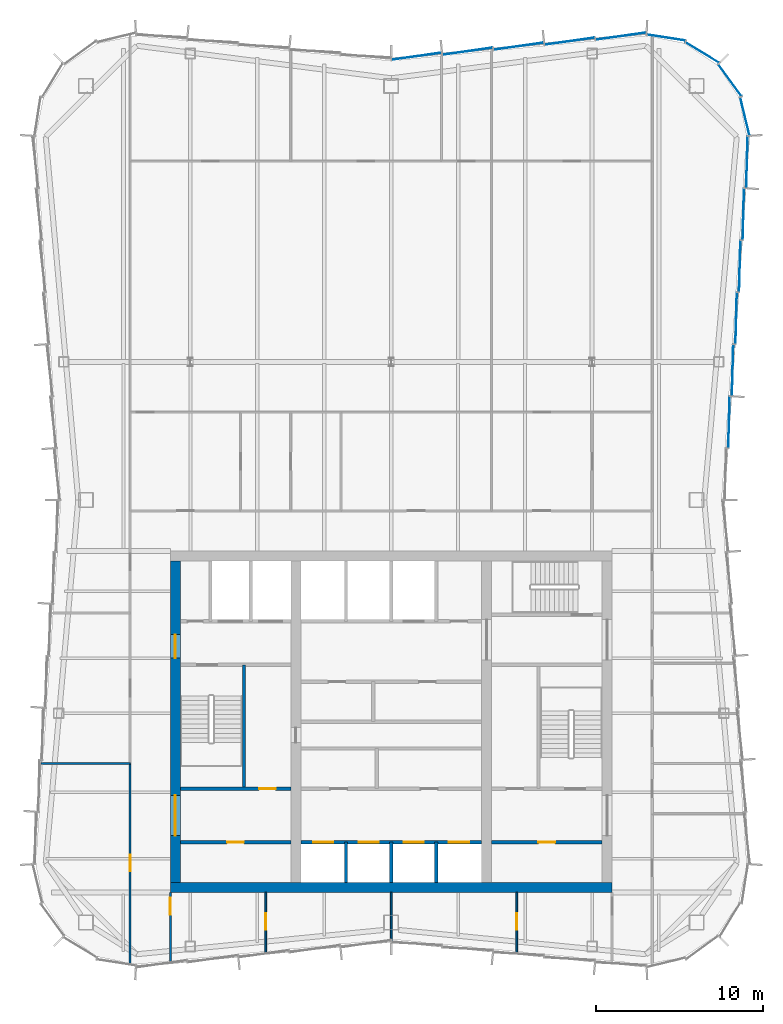
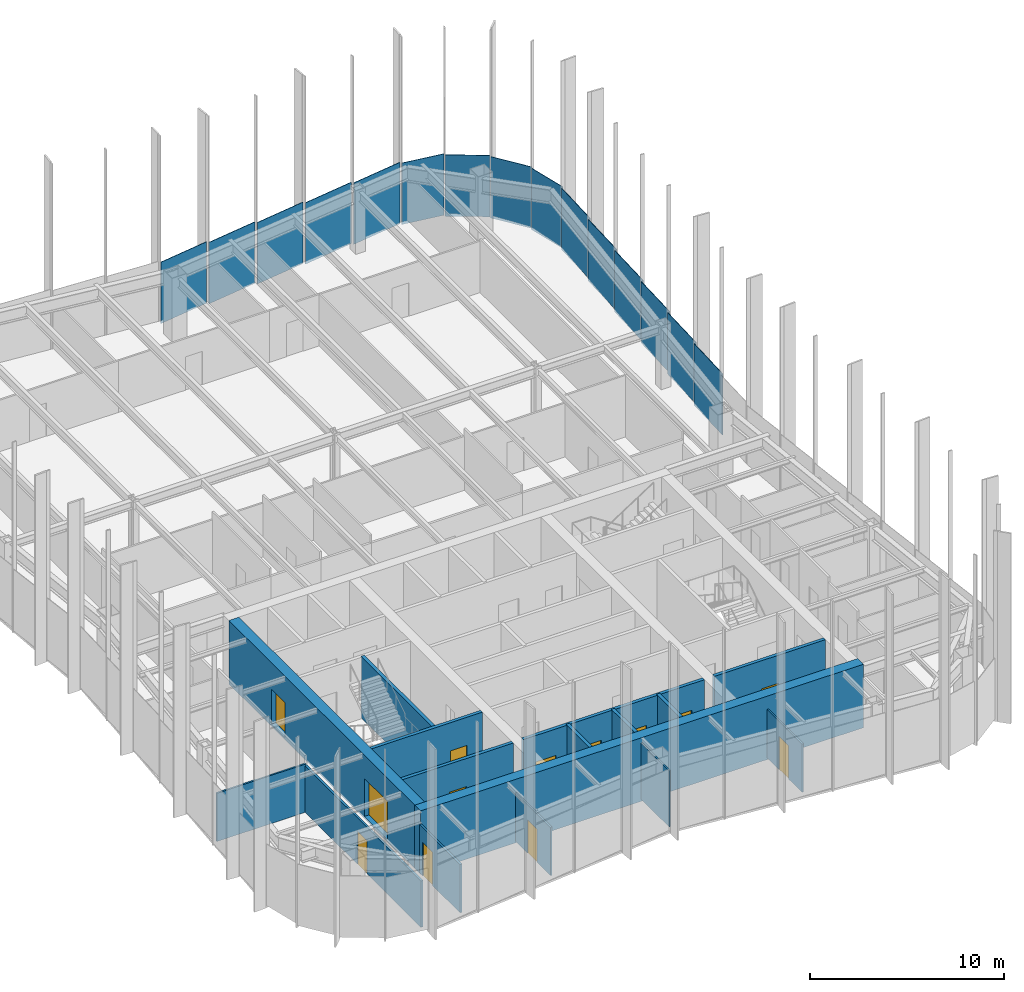
# One storey, part 9 of 13: 16 walls, 15 plates, 13 doors, 13 openings, 3 elements without a shape of their own.
"""IFC4 building model written with IfcOpenShell, lengths in metres."""

from ifc_helpers import new_model, si_unit, direction, frame, frame_2d, origin, origin_2d, place, context, subcontext, project, spatial, rectangle, extrude, material, layer, layer_set, type_object, element, fill, aggregate, save


model = new_model("IFC4")

# Units and contexts
model_context = context("Model", 3, precision=1e-05, world=origin(), true_north=direction((0.0, 1.0)))
body_context = subcontext(model_context, "Body", "Model", "MODEL_VIEW")
ifc_project = project(units=[si_unit("LENGTHUNIT", "METRE"), si_unit("AREAUNIT", "SQUARE_METRE"), si_unit("VOLUMEUNIT", "CUBIC_METRE"), si_unit("PLANEANGLEUNIT", "RADIAN"), si_unit("MASSUNIT", "GRAM", prefix="KILO")], contexts=[model_context])

# Site, building, storey
site_placement = place(None, origin())
site = spatial("IfcSite", under=ifc_project, at=site_placement, CompositionType="ELEMENT")
building_placement = place(site_placement, origin())
building = spatial("IfcBuilding", under=site, at=building_placement, Name="Verdant Reach Tower", CompositionType="ELEMENT")
storey_placement = place(building_placement, frame((0.0, 0.0, 306.0)))
storey = spatial("IfcBuildingStorey", under=building, at=storey_placement, Name="L70", CompositionType="ELEMENT", Elevation=306.0)

# Curtain wall, plates
ifc_material_1 = material(Name="Anodised aluminium", Category="aluminium")
curtain_wall_type = type_object("IfcCurtainWallType", Name="EN-CW SYSTEM Z5", PredefinedType="NOTDEFINED", material=ifc_material_1)
curtain_wall_1_placement = place(storey_placement, origin())
curtain_wall_1 = element("IfcCurtainWall", 1, at=curtain_wall_1_placement, inside=storey, type_object=curtain_wall_type, Name="Curtain wall east, L70", PredefinedType="NOTDEFINED")
ifc_material_2 = material(Name="Tinted glass with champagne spandrel", Category="glass")
ifc_layer_1 = layer(ifc_material_2, 0.031982421875)
ifc_layer_set_1 = layer_set([ifc_layer_1], Name="EN-PANEL CHAMPAGNE")
plate_type_1 = type_object("IfcPlateType", Name="EN-PANEL CHAMPAGNE", PredefinedType="CURTAIN_PANEL", material=ifc_layer_set_1)
plate_1_placement = place(storey_placement, frame((20.18603515625, 45.90283203125, -0.219970703125), z_axis=(0.0, 0.0, 1.0), x_axis=(0.026965318308, 0.999636369691, 0.0)))
plate_1 = element("IfcPlate", 2, at=plate_1_placement, type_object=plate_type_1, Name="Glass panel east face part 2 2.1, L70", PredefinedType="CURTAIN_PANEL", context=body_context, shape_type="SweptSolid", body=[
    extrude(rectangle(XDim=3.048583984375, YDim=0.031982421875, at=origin_2d()), origin(), (0.0, 0.0, 1.0), 3.8701171875),
])
plate_2_placement = place(storey_placement, frame((20.400390625, 49.010009765625, -0.219970703125), z_axis=(0.0, 0.0, 1.0), x_axis=(0.026965318308, 0.999636369691, 0.0)))
plate_2 = element("IfcPlate", 3, at=plate_2_placement, type_object=plate_type_1, Name="Glass panel east face part 2 3.1, L70", PredefinedType="CURTAIN_PANEL", context=body_context, shape_type="SweptSolid", body=[
    extrude(rectangle(XDim=3.048583984375, YDim=0.031982421875, at=origin_2d()), origin(), (0.0, 0.0, 1.0), 3.8701171875),
])

# Curtain wall, plate
curtain_wall_2_placement = place(storey_placement, origin())
curtain_wall_2 = element("IfcCurtainWall", 4, at=curtain_wall_2_placement, inside=storey, type_object=curtain_wall_type, Name="Curtain wall north-east corner, L70", PredefinedType="NOTDEFINED")
plate_3_placement = place(storey_placement, frame((21.132080078125, 64.173828125, -0.219970703125), z_axis=(0.0, 0.0, 1.0), x_axis=(-0.236471447122, 0.971638438256, 0.0)))
plate_3 = element("IfcPlate", 5, at=plate_3_placement, type_object=plate_type_1, Name="Glass panel north-east corner 1.1, L70", PredefinedType="CURTAIN_PANEL", context=body_context, shape_type="SweptSolid", body=[
    extrude(rectangle(XDim=2.312744140625, YDim=0.031982421875, at=origin_2d()), origin(), (0.0, 0.0, 1.0), 3.8701171875),
])

curtain_wall_3_placement = place(storey_placement, origin())
curtain_wall_3 = element("IfcCurtainWall", 6, at=curtain_wall_3_placement, inside=storey, type_object=curtain_wall_type, Name="Curtain wall north, L70", PredefinedType="NOTDEFINED")
plate_4_placement = place(storey_placement, frame((1.519287109375, 67.7646484375, -0.219970703125), z_axis=(0.0, 0.0, 1.0), x_axis=(-0.990200074141, -0.139656053116, 0.0)))
plate_4 = element("IfcPlate", 7, at=plate_4_placement, type_object=plate_type_1, Name="Glass panel north face part 1 5.1, L70", PredefinedType="CURTAIN_PANEL", context=body_context, shape_type="SweptSolid", body=[
    extrude(rectangle(XDim=2.987548828125, YDim=0.031982421875, at=origin_2d()), origin(), (0.0, 0.0, 1.0), 3.8701171875),
])

# Plate
ifc_material_3 = material(Name="Tinted glass with copper spandrel", Category="glass")
ifc_layer_2 = layer(ifc_material_3, 0.031982421875)
ifc_layer_set_2 = layer_set([ifc_layer_2], Name="EN-PANEL COPPER")
plate_type_2 = type_object("IfcPlateType", Name="EN-PANEL COPPER", PredefinedType="CURTAIN_PANEL", material=ifc_layer_set_2)
plate_5_placement = place(storey_placement, frame((20.61474609375, 52.1171875, -0.219970703125), z_axis=(0.0, 0.0, 1.0), x_axis=(0.026965318308, 0.999636369691, 0.0)))
plate_5 = element("IfcPlate", 8, at=plate_5_placement, type_object=plate_type_2, Name="Glass panel east face part 2 4.1, L70", PredefinedType="CURTAIN_PANEL", context=body_context, shape_type="SweptSolid", body=[
    extrude(rectangle(XDim=3.048583984375, YDim=0.031982421875, at=origin_2d()), origin(), (0.0, 0.0, 1.0), 3.8701171875),
])

plate_6_placement = place(storey_placement, frame((20.8291015625, 55.22412109375, -0.219970703125), z_axis=(0.0, 0.0, 1.0), x_axis=(0.026965318308, 0.999636369691, 0.0)))
plate_6 = element("IfcPlate", 9, at=plate_6_placement, type_object=plate_type_2, Name="Glass panel east face part 2 5.1, L70", PredefinedType="CURTAIN_PANEL", context=body_context, shape_type="SweptSolid", body=[
    extrude(rectangle(XDim=3.048583984375, YDim=0.031982421875, at=origin_2d()), origin(), (0.0, 0.0, 1.0), 3.8701171875),
])

plate_7_placement = place(storey_placement, frame((20.23681640625, 66.33203125, -0.219970703125), z_axis=(0.0, 0.0, 1.0), x_axis=(-0.58992672698, 0.807456783236, 0.0)))
plate_7 = element("IfcPlate", 10, at=plate_7_placement, type_object=plate_type_2, Name="Glass panel north-east corner 2.1, L70", PredefinedType="CURTAIN_PANEL", context=body_context, shape_type="SweptSolid", body=[
    extrude(rectangle(XDim=2.320068359375, YDim=0.031982421875, at=origin_2d()), origin(), (0.0, 0.0, 1.0), 3.8701171875),
])

plate_8_placement = place(storey_placement, frame((18.58203125, 67.98681640625, -0.219970703125), z_axis=(0.0, 0.0, 1.0), x_axis=(-0.853988714885, 0.520291528711, 0.0)))
plate_8 = element("IfcPlate", 11, at=plate_8_placement, type_object=plate_type_2, Name="Glass panel north-east corner 3.1, L70", PredefinedType="CURTAIN_PANEL", context=body_context, shape_type="SweptSolid", body=[
    extrude(rectangle(XDim=2.320068359375, YDim=0.031982421875, at=origin_2d()), origin(), (0.0, 0.0, 1.0), 3.8701171875),
])

plate_9_placement = place(storey_placement, frame((16.4228515625, 68.88232421875, -0.219970703125), z_axis=(0.0, 0.0, 1.0), x_axis=(-0.988033409454, 0.154240013621, 0.0)))
plate_9 = element("IfcPlate", 12, at=plate_9_placement, type_object=plate_type_2, Name="Glass panel north-east corner 4.1, L70", PredefinedType="CURTAIN_PANEL", context=body_context, shape_type="SweptSolid", body=[
    extrude(rectangle(XDim=2.314453125, YDim=0.031982421875, at=origin_2d()), origin(), (0.0, 0.0, 1.0), 3.8701171875),
])

aggregate(curtain_wall_2, [plate_3, plate_7, plate_8, plate_9])

plate_10_placement = place(storey_placement, frame((13.72216796875, 68.964599609375, -0.219970703125), z_axis=(0.0, 0.0, 1.0), x_axis=(-0.990281521639, -0.139077345032, 0.0)))
plate_10 = element("IfcPlate", 13, at=plate_10_placement, type_object=plate_type_2, Name="Glass panel north face part 1 1.1, L70", PredefinedType="CURTAIN_PANEL", context=body_context, shape_type="SweptSolid", body=[
    extrude(rectangle(XDim=3.015625, YDim=0.031982421875, at=origin_2d()), origin(), (0.0, 0.0, 1.0), 3.8701171875),
])

plate_11_placement = place(storey_placement, frame((10.663818359375, 68.66455078125, -0.219970703125), z_axis=(0.0, 0.0, 1.0), x_axis=(-0.990225318365, -0.139476947446, 0.0)))
plate_11 = element("IfcPlate", 14, at=plate_11_placement, type_object=plate_type_2, Name="Glass panel north face part 1 2.1, L70", PredefinedType="CURTAIN_PANEL", context=body_context, shape_type="SweptSolid", body=[
    extrude(rectangle(XDim=2.998779296875, YDim=0.031982421875, at=origin_2d()), origin(), (0.0, 0.0, 1.0), 3.8701171875),
])

ifc_material_4 = material(Name="Tinted glass with dark bronze spandrel", Category="glass")
ifc_layer_3 = layer(ifc_material_4, 0.031982421875)
ifc_layer_set_3 = layer_set([ifc_layer_3], Name="EN-PANEL DARK")
plate_type_3 = type_object("IfcPlateType", Name="EN-PANEL DARK", PredefinedType="CURTAIN_PANEL", material=ifc_layer_set_3)
plate_12_placement = place(storey_placement, frame((21.043212890625, 58.331298828125, -0.219970703125), z_axis=(0.0, 0.0, 1.0), x_axis=(0.026965318308, 0.999636369691, 0.0)))
plate_12 = element("IfcPlate", 15, at=plate_12_placement, type_object=plate_type_3, Name="Glass panel east face part 2 6.1, L70", PredefinedType="CURTAIN_PANEL", context=body_context, shape_type="SweptSolid", body=[
    extrude(rectangle(XDim=3.048583984375, YDim=0.031982421875, at=origin_2d()), origin(), (0.0, 0.0, 1.0), 3.8701171875),
])

plate_13_placement = place(storey_placement, frame((21.257568359375, 61.446044921875, -0.219970703125), z_axis=(0.0, 0.0, 1.0), x_axis=(0.026642881595, 0.999645015423, 0.0)))
plate_13 = element("IfcPlate", 16, at=plate_13_placement, type_object=plate_type_3, Name="Glass panel east face part 2 7.1, L70", PredefinedType="CURTAIN_PANEL", context=body_context, shape_type="SweptSolid", body=[
    extrude(rectangle(XDim=3.063720703125, YDim=0.031982421875, at=origin_2d()), origin(), (0.0, 0.0, 1.0), 3.8701171875),
])

aggregate(curtain_wall_1, [plate_1, plate_2, plate_5, plate_6, plate_12, plate_13])

plate_14_placement = place(storey_placement, frame((7.61376953125, 68.364501953125, -0.219970703125), z_axis=(0.0, 0.0, 1.0), x_axis=(-0.990225318365, -0.139476947446, 0.0)))
plate_14 = element("IfcPlate", 17, at=plate_14_placement, type_object=plate_type_3, Name="Glass panel north face part 1 3.1, L70", PredefinedType="CURTAIN_PANEL", context=body_context, shape_type="SweptSolid", body=[
    extrude(rectangle(XDim=2.998779296875, YDim=0.031982421875, at=origin_2d()), origin(), (0.0, 0.0, 1.0), 3.8701171875),
])

plate_15_placement = place(storey_placement, frame((4.563720703125, 68.064453125, -0.219970703125), z_axis=(0.0, 0.0, 1.0), x_axis=(-0.990225318365, -0.139476947446, 0.0)))
plate_15 = element("IfcPlate", 18, at=plate_15_placement, type_object=plate_type_3, Name="Glass panel north face part 1 4.1, L70", PredefinedType="CURTAIN_PANEL", context=body_context, shape_type="SweptSolid", body=[
    extrude(rectangle(XDim=2.998779296875, YDim=0.031982421875, at=origin_2d()), origin(), (0.0, 0.0, 1.0), 3.8701171875),
])

aggregate(curtain_wall_3, [plate_10, plate_11, plate_14, plate_15, plate_4])

# Wall, opening, door
ifc_material_5 = material(Name="Gypsum board on steel studs", Category="steel")
ifc_layer_4 = layer(ifc_material_5, 0.199951171875)
ifc_layer_set_4 = layer_set([ifc_layer_4], Name="CO-WALL-ROOM")
wall_type_1 = type_object("IfcWallType", Name="CO-WALL-ROOM", PredefinedType="PARTITIONING", material=ifc_layer_set_4)
wall_1_placement = place(storey_placement, frame((-12.60009765625, 20.800048828125, 0.0), z_axis=(0.0, 0.0, 1.0), x_axis=(1.0, 0.0, 0.0)))
wall_1 = element("IfcWall", 19, at=wall_1_placement, inside=storey, type_object=wall_type_1, Name="Core partition, L70", PredefinedType="PARTITIONING", context=body_context, shape_type="SweptSolid", body=[
    extrude(rectangle(XDim=6.60009765625, YDim=0.199951171875, at=frame_2d((3.300048828125, 0.0))), origin(), (0.0, 0.0, 1.0), 3.8701171875),
])
opening_1_placement = place(wall_1_placement, frame((2.800048828125, 0.0, 0.0)))
opening_1 = element("IfcOpeningElement", 20, at=opening_1_placement, cuts=wall_1, Name="Opening CD", PredefinedType="OPENING", context=body_context, shape_type="SweptSolid", body=[
    extrude(rectangle(XDim=1.0, YDim=2.10009765625, at=frame_2d((0.5, 1.050048828125))), frame((0.0, 0.10986328125, 0.0), z_axis=(0.0, -1.0, 0.0), x_axis=(1.0, 0.0, 0.0)), (0.0, 0.0, 1.0), 0.219970703125),
])
ifc_material_6 = material(Name="Timber", Category="wood")
door_type_1 = type_object("IfcDoorType", Name="CO-DOOR-ROOM", OperationType="NOTDEFINED", PredefinedType="DOOR", material=ifc_material_6)
door_1_placement = place(opening_1_placement, origin())
door_1 = element("IfcDoor", 21, at=door_1_placement, inside=storey, type_object=door_type_1, Name="Core room door, L70", OperationType="SINGLE_SWING_LEFT", OverallHeight=2.10009765625, OverallWidth=1.0, PredefinedType="DOOR", context=body_context, shape_type="SweptSolid", body=[
    extrude(rectangle(XDim=1.0, YDim=2.10009765625, at=frame_2d((0.5, 1.050048828125))), frame((0.0, 0.02490234375, 0.0), z_axis=(0.0, -1.0, 0.0), x_axis=(1.0, 0.0, 0.0)), (0.0, 0.0, 1.0), 0.050048828125),
])
fill(opening_1, door_1)

wall_2_placement = place(storey_placement, frame((6.0, 20.800048828125, 0.0), z_axis=(0.0, 0.0, 1.0), x_axis=(1.0, 0.0, 0.0)))
wall_2 = element("IfcWall", 22, at=wall_2_placement, inside=storey, type_object=wall_type_1, Name="Core partition, L70", PredefinedType="PARTITIONING", context=body_context, shape_type="SweptSolid", body=[
    extrude(rectangle(XDim=6.60009765625, YDim=0.199951171875, at=frame_2d((3.300048828125, 0.0))), origin(), (0.0, 0.0, 1.0), 3.8701171875),
])
opening_2_placement = place(wall_2_placement, frame((2.800048828125, 0.0, 0.0)))
opening_2 = element("IfcOpeningElement", 23, at=opening_2_placement, cuts=wall_2, Name="Opening CD", PredefinedType="OPENING", context=body_context, shape_type="SweptSolid", body=[
    extrude(rectangle(XDim=1.0, YDim=2.10009765625, at=frame_2d((0.5, 1.050048828125))), frame((0.0, 0.10986328125, 0.0), z_axis=(0.0, -1.0, 0.0), x_axis=(1.0, 0.0, 0.0)), (0.0, 0.0, 1.0), 0.219970703125),
])
door_2_placement = place(opening_2_placement, origin())
door_2 = element("IfcDoor", 24, at=door_2_placement, inside=storey, type_object=door_type_1, Name="Core room door, L70", OperationType="SINGLE_SWING_RIGHT", OverallHeight=2.10009765625, OverallWidth=1.0, PredefinedType="DOOR", context=body_context, shape_type="SweptSolid", body=[
    extrude(rectangle(XDim=1.0, YDim=2.10009765625, at=frame_2d((0.5, 1.050048828125))), frame((0.0, 0.02490234375, 0.0), z_axis=(0.0, -1.0, 0.0), x_axis=(1.0, 0.0, 0.0)), (0.0, 0.0, 1.0), 0.050048828125),
])
fill(opening_2, door_2)

# Wall, openings, doors
ifc_material_7 = material(Name="Concrete C40/50", Category="concrete")
ifc_layer_5 = layer(ifc_material_7, 0.199951171875)
ifc_layer_set_5 = layer_set([ifc_layer_5], Name="CO-WALL-SHAFT")
wall_type_2 = type_object("IfcWallType", Name="CO-WALL-SHAFT", PredefinedType="PARTITIONING", material=ifc_layer_set_5)
wall_3_placement = place(storey_placement, frame((-5.39990234375, 20.800048828125, 0.0), z_axis=(0.0, 0.0, 1.0), x_axis=(1.0, 0.0, 0.0)))
wall_3 = element("IfcWall", 25, at=wall_3_placement, inside=storey, type_object=wall_type_2, Name="Lift shaft wall, L70", PredefinedType="PARTITIONING", context=body_context, shape_type="SweptSolid", body=[
    extrude(rectangle(XDim=10.7998046875, YDim=0.199951171875, at=frame_2d((5.39990234375, 0.0))), origin(), (0.0, 0.0, 1.0), 3.8701171875),
])
opening_3_placement = place(wall_3_placement, frame((0.75, 0.0, 0.0)))
opening_3 = element("IfcOpeningElement", 26, at=opening_3_placement, cuts=wall_3, Name="Opening LD-B1", PredefinedType="OPENING", context=body_context, shape_type="SweptSolid", body=[
    extrude(rectangle(XDim=1.199951171875, YDim=2.199951171875, at=frame_2d((0.60009765625, 1.10009765625))), frame((0.0, 0.10986328125, 0.0), z_axis=(0.0, -1.0, 0.0), x_axis=(1.0, 0.0, 0.0)), (0.0, 0.0, 1.0), 0.219970703125),
])
opening_4_placement = place(wall_3_placement, frame((3.449951171875, 0.0, 0.0)))
opening_4 = element("IfcOpeningElement", 27, at=opening_4_placement, cuts=wall_3, Name="Opening LD-B2", PredefinedType="OPENING", context=body_context, shape_type="SweptSolid", body=[
    extrude(rectangle(XDim=1.199951171875, YDim=2.199951171875, at=frame_2d((0.60009765625, 1.10009765625))), frame((0.0, 0.10986328125, 0.0), z_axis=(0.0, -1.0, 0.0), x_axis=(1.0, 0.0, 0.0)), (0.0, 0.0, 1.0), 0.219970703125),
])
opening_5_placement = place(wall_3_placement, frame((6.14990234375, 0.0, 0.0)))
opening_5 = element("IfcOpeningElement", 28, at=opening_5_placement, cuts=wall_3, Name="Opening LD-B3", PredefinedType="OPENING", context=body_context, shape_type="SweptSolid", body=[
    extrude(rectangle(XDim=1.199951171875, YDim=2.199951171875, at=frame_2d((0.60009765625, 1.10009765625))), frame((0.0, 0.10986328125, 0.0), z_axis=(0.0, -1.0, 0.0), x_axis=(1.0, 0.0, 0.0)), (0.0, 0.0, 1.0), 0.219970703125),
])
opening_6_placement = place(wall_3_placement, frame((8.85009765625, 0.0, 0.0)))
opening_6 = element("IfcOpeningElement", 29, at=opening_6_placement, cuts=wall_3, Name="Opening LD-B4", PredefinedType="OPENING", context=body_context, shape_type="SweptSolid", body=[
    extrude(rectangle(XDim=1.199951171875, YDim=2.199951171875, at=frame_2d((0.60009765625, 1.10009765625))), frame((0.0, 0.10986328125, 0.0), z_axis=(0.0, -1.0, 0.0), x_axis=(1.0, 0.0, 0.0)), (0.0, 0.0, 1.0), 0.219970703125),
])
ifc_material_8 = material(Name="Stainless steel", Category="steel")
door_type_2 = type_object("IfcDoorType", Name="CO-DOOR-LANDING", OperationType="SLIDING_TO_LEFT", PredefinedType="DOOR", material=ifc_material_8)
door_3_placement = place(opening_3_placement, origin())
door_3 = element("IfcDoor", 30, at=door_3_placement, inside=storey, type_object=door_type_2, Name="Landing door B1, L70", OperationType="SLIDING_TO_LEFT", OverallHeight=2.199951171875, OverallWidth=1.199951171875, PredefinedType="DOOR", context=body_context, shape_type="SweptSolid", body=[
    extrude(rectangle(XDim=1.199951171875, YDim=2.199951171875, at=frame_2d((0.60009765625, 1.10009765625))), frame((0.0, 0.02490234375, 0.0), z_axis=(0.0, -1.0, 0.0), x_axis=(1.0, 0.0, 0.0)), (0.0, 0.0, 1.0), 0.050048828125),
])
fill(opening_3, door_3)
door_4_placement = place(opening_4_placement, origin())
door_4 = element("IfcDoor", 31, at=door_4_placement, inside=storey, type_object=door_type_2, Name="Landing door B2, L70", OperationType="SLIDING_TO_LEFT", OverallHeight=2.199951171875, OverallWidth=1.199951171875, PredefinedType="DOOR", context=body_context, shape_type="SweptSolid", body=[
    extrude(rectangle(XDim=1.199951171875, YDim=2.199951171875, at=frame_2d((0.60009765625, 1.10009765625))), frame((0.0, 0.02490234375, 0.0), z_axis=(0.0, -1.0, 0.0), x_axis=(1.0, 0.0, 0.0)), (0.0, 0.0, 1.0), 0.050048828125),
])
fill(opening_4, door_4)
door_5_placement = place(opening_5_placement, origin())
door_5 = element("IfcDoor", 32, at=door_5_placement, inside=storey, type_object=door_type_2, Name="Landing door B3, L70", OperationType="SLIDING_TO_LEFT", OverallHeight=2.199951171875, OverallWidth=1.199951171875, PredefinedType="DOOR", context=body_context, shape_type="SweptSolid", body=[
    extrude(rectangle(XDim=1.199951171875, YDim=2.199951171875, at=frame_2d((0.60009765625, 1.10009765625))), frame((0.0, 0.02490234375, 0.0), z_axis=(0.0, -1.0, 0.0), x_axis=(1.0, 0.0, 0.0)), (0.0, 0.0, 1.0), 0.050048828125),
])
fill(opening_5, door_5)
door_6_placement = place(opening_6_placement, origin())
door_6 = element("IfcDoor", 33, at=door_6_placement, inside=storey, type_object=door_type_2, Name="Landing door B4, L70", OperationType="SLIDING_TO_LEFT", OverallHeight=2.199951171875, OverallWidth=1.199951171875, PredefinedType="DOOR", context=body_context, shape_type="SweptSolid", body=[
    extrude(rectangle(XDim=1.199951171875, YDim=2.199951171875, at=frame_2d((0.60009765625, 1.10009765625))), frame((0.0, 0.02490234375, 0.0), z_axis=(0.0, -1.0, 0.0), x_axis=(1.0, 0.0, 0.0)), (0.0, 0.0, 1.0), 0.050048828125),
])
fill(opening_6, door_6)

# Walls
for number, where, z_axis, x_axis, name in (
    (34, (-2.699951171875, 18.39990234375, 0.0), (0.0, 0.0, 1.0), (0.0, 1.0, 0.0), "Lift shaft wall, L70"),
    (35, (0.0, 18.39990234375, 0.0), (0.0, 0.0, 1.0), (0.0, 1.0, 0.0), "Lift shaft wall, L70"),
    (36, (2.699951171875, 18.39990234375, 0.0), (0.0, 0.0, 1.0), (0.0, 1.0, 0.0), "Lift shaft wall, L70"),
):
    element("IfcWall", number, at=place(storey_placement, frame(where, z_axis=z_axis, x_axis=x_axis)), inside=storey, type_object=wall_type_2, Name=name, PredefinedType="PARTITIONING", context=body_context, shape_type="SweptSolid", body=[
        extrude(rectangle(XDim=2.400146484375, YDim=0.199951171875, at=frame_2d((1.2001953125, 0.0))), origin(), (0.0, 0.0, 1.0), 3.8701171875),
    ])

# Wall, opening, door
ifc_layer_6 = layer(ifc_material_7, 0.199951171875)
ifc_layer_set_6 = layer_set([ifc_layer_6], Name="CO-WALL-STAIR")
wall_type_3 = type_object("IfcWallType", Name="CO-WALL-STAIR", PredefinedType="PARTITIONING", material=ifc_layer_set_6)
wall_4_placement = place(storey_placement, frame((-12.60009765625, 24.0, 0.0), z_axis=(0.0, 0.0, 1.0), x_axis=(1.0, 0.0, 0.0)))
wall_4 = element("IfcWall", 37, at=wall_4_placement, inside=storey, type_object=wall_type_3, Name="Stair enclosure wall, L70", PredefinedType="PARTITIONING", context=body_context, shape_type="SweptSolid", body=[
    extrude(rectangle(XDim=6.60009765625, YDim=0.199951171875, at=frame_2d((3.300048828125, 0.0))), origin(), (0.0, 0.0, 1.0), 3.8701171875),
])
opening_7_placement = place(wall_4_placement, frame((4.699951171875, 0.0, 0.0)))
opening_7 = element("IfcOpeningElement", 38, at=opening_7_placement, cuts=wall_4, Name="Opening CD", PredefinedType="OPENING", context=body_context, shape_type="SweptSolid", body=[
    extrude(rectangle(XDim=1.0, YDim=2.10009765625, at=frame_2d((0.5, 1.050048828125))), frame((0.0, 0.10986328125, 0.0), z_axis=(0.0, -1.0, 0.0), x_axis=(1.0, 0.0, 0.0)), (0.0, 0.0, 1.0), 0.219970703125),
])
door_7_placement = place(opening_7_placement, origin())
door_7 = element("IfcDoor", 39, at=door_7_placement, inside=storey, type_object=door_type_1, Name="Core room door, L70", OperationType="SINGLE_SWING_RIGHT", OverallHeight=2.10009765625, OverallWidth=1.0, PredefinedType="DOOR", context=body_context, shape_type="SweptSolid", body=[
    extrude(rectangle(XDim=1.0, YDim=2.10009765625, at=frame_2d((0.5, 1.050048828125))), frame((0.0, 0.02490234375, 0.0), z_axis=(0.0, -1.0, 0.0), x_axis=(1.0, 0.0, 0.0)), (0.0, 0.0, 1.0), 0.050048828125),
])
fill(opening_7, door_7)

# Walls
wall_5_placement = place(storey_placement, frame((-8.800048828125, 24.0, 0.0), z_axis=(0.0, 0.0, 1.0), x_axis=(0.0, 1.0, 0.0)))
element("IfcWall", 40, at=wall_5_placement, inside=storey, type_object=wall_type_3, Name="Stair enclosure wall, L70", PredefinedType="PARTITIONING", context=body_context, shape_type="SweptSolid", body=[
    extrude(rectangle(XDim=7.39990234375, YDim=0.199951171875, at=frame_2d((3.699951171875, 0.0))), origin(), (0.0, 0.0, 1.0), 3.8701171875),
])
ifc_layer_7 = layer(ifc_material_5, 0.10009765625)
ifc_layer_set_7 = layer_set([ifc_layer_7], Name="FL-W1 Partition 100")
wall_type_4 = type_object("IfcWallType", Name="FL-W1 Partition 100", PredefinedType="PARTITIONING", material=ifc_layer_set_7)
wall_6_placement = place(storey_placement, frame((-15.60009765625, 25.5, 0.0), z_axis=(0.0, 0.0, 1.0), x_axis=(-1.0, 0.0, 0.0)))
element("IfcWall", 41, at=wall_6_placement, inside=storey, type_object=wall_type_4, Name="Partition 70.18", PredefinedType="PARTITIONING", context=body_context, shape_type="SweptSolid", body=[
    extrude(rectangle(XDim=5.316162109375, YDim=0.10009765625, at=frame_2d((2.658203125, 0.0))), origin(), (0.0, 0.0, 1.0), 3.0400390625),
])

# Wall, opening, door
wall_7_placement = place(storey_placement, frame((-7.5, 17.800048828125, 0.0), z_axis=(0.0, 0.0, 1.0), x_axis=(0.0, -1.0, 0.0)))
wall_7 = element("IfcWall", 42, at=wall_7_placement, inside=storey, type_object=wall_type_4, Name="Partition 70.31", PredefinedType="PARTITIONING", context=body_context, shape_type="SweptSolid", body=[
    extrude(rectangle(XDim=3.61767578125, YDim=0.10009765625, at=frame_2d((1.808837890625, 0.0))), origin(), (0.0, 0.0, 1.0), 3.0400390625),
])
opening_8_placement = place(wall_7_placement, frame((1.24365234375, 0.0, 0.0)))
opening_8 = element("IfcOpeningElement", 43, at=opening_8_placement, cuts=wall_7, Name="Opening D3", PredefinedType="OPENING", context=body_context, shape_type="SweptSolid", body=[
    extrude(rectangle(XDim=1.0, YDim=2.10009765625, at=frame_2d((0.5, 1.050048828125))), frame((0.0, 0.06005859375, 0.0), z_axis=(0.0, -1.0, 0.0), x_axis=(1.0, 0.0, 0.0)), (0.0, 0.0, 1.0), 0.1201171875),
])
ifc_material_9 = material(Name="Painted timber door leaf", Category="wood")
door_type_3 = type_object("IfcDoorType", Name="FL-D3 Door 1000x2100", OperationType="NOTDEFINED", PredefinedType="DOOR", material=ifc_material_9)
door_8_placement = place(opening_8_placement, origin())
door_8 = element("IfcDoor", 44, at=door_8_placement, inside=storey, type_object=door_type_3, Name="Door 70-015", OperationType="SINGLE_SWING_LEFT", OverallHeight=2.10009765625, OverallWidth=1.0, PredefinedType="DOOR", context=body_context, shape_type="SweptSolid", body=[
    extrude(rectangle(XDim=1.0, YDim=2.10009765625, at=frame_2d((0.5, 1.050048828125))), frame((0.0, 0.02490234375, 0.0), z_axis=(0.0, -1.0, 0.0), x_axis=(1.0, 0.0, 0.0)), (0.0, 0.0, 1.0), 0.050048828125),
])
fill(opening_8, door_8)

# Wall
wall_8_placement = place(storey_placement, frame((0.0, 14.919921875, 0.0), z_axis=(0.0, 0.0, 1.0), x_axis=(0.0, 1.0, 0.0)))
element("IfcWall", 45, at=wall_8_placement, inside=storey, type_object=wall_type_4, Name="Partition 70.32", PredefinedType="PARTITIONING", context=body_context, shape_type="SweptSolid", body=[
    extrude(rectangle(XDim=2.880126953125, YDim=0.10009765625, at=frame_2d((1.43994140625, 0.0))), origin(), (0.0, 0.0, 1.0), 3.5400390625),
])

# Wall, opening, door
wall_9_placement = place(storey_placement, frame((7.5, 14.182373046875, 0.0), z_axis=(0.0, 0.0, 1.0), x_axis=(0.0, 1.0, 0.0)))
wall_9 = element("IfcWall", 46, at=wall_9_placement, inside=storey, type_object=wall_type_4, Name="Partition 70.33", PredefinedType="PARTITIONING", context=body_context, shape_type="SweptSolid", body=[
    extrude(rectangle(XDim=3.61767578125, YDim=0.10009765625, at=frame_2d((1.808837890625, 0.0))), origin(), (0.0, 0.0, 1.0), 3.0400390625),
])
opening_9_placement = place(wall_9_placement, frame((1.3740234375, 0.0, 0.0)))
opening_9 = element("IfcOpeningElement", 47, at=opening_9_placement, cuts=wall_9, Name="Opening D3", PredefinedType="OPENING", context=body_context, shape_type="SweptSolid", body=[
    extrude(rectangle(XDim=1.0, YDim=2.10009765625, at=frame_2d((0.5, 1.050048828125))), frame((0.0, 0.06005859375, 0.0), z_axis=(0.0, -1.0, 0.0), x_axis=(1.0, 0.0, 0.0)), (0.0, 0.0, 1.0), 0.1201171875),
])
door_9_placement = place(opening_9_placement, origin())
door_9 = element("IfcDoor", 48, at=door_9_placement, inside=storey, type_object=door_type_3, Name="Door 70-016", OperationType="SINGLE_SWING_RIGHT", OverallHeight=2.10009765625, OverallWidth=1.0, PredefinedType="DOOR", context=body_context, shape_type="SweptSolid", body=[
    extrude(rectangle(XDim=1.0, YDim=2.10009765625, at=frame_2d((0.5, 1.050048828125))), frame((0.0, 0.02490234375, 0.0), z_axis=(0.0, -1.0, 0.0), x_axis=(1.0, 0.0, 0.0)), (0.0, 0.0, 1.0), 0.050048828125),
])
fill(opening_9, door_9)

ifc_material_10 = material(Name="Gypsum board on steel studs, fire rated", Category="steel")
ifc_layer_8 = layer(ifc_material_10, 0.125)
ifc_layer_set_8 = layer_set([ifc_layer_8], Name="FL-W2 Corridor wall 125")
wall_type_5 = type_object("IfcWallType", Name="FL-W2 Corridor wall 125", PredefinedType="PARTITIONING", material=ifc_layer_set_8)
wall_10_placement = place(storey_placement, frame((-15.60009765625, 13.489501953125, 0.0), z_axis=(0.0, 0.0, 1.0), x_axis=(0.0, 1.0, 0.0)))
wall_10 = element("IfcWall", 49, at=wall_10_placement, inside=storey, type_object=wall_type_5, Name="Partition 70.01", PredefinedType="PARTITIONING", context=body_context, shape_type="SweptSolid", body=[
    extrude(rectangle(XDim=12.010498046875, YDim=0.125, at=frame_2d((6.00537109375, 0.0))), origin(), (0.0, 0.0, 1.0), 2.929931640625),
])
opening_10_placement = place(wall_10_placement, frame((5.57080078125, 0.0, 0.0)))
opening_10 = element("IfcOpeningElement", 50, at=opening_10_placement, cuts=wall_10, Name="Opening D2", PredefinedType="OPENING", context=body_context, shape_type="SweptSolid", body=[
    extrude(rectangle(XDim=1.0, YDim=2.10009765625, at=frame_2d((0.5, 1.050048828125))), frame((0.0, 0.072509765625, 0.0), z_axis=(0.0, -1.0, 0.0), x_axis=(1.0, 0.0, 0.0)), (0.0, 0.0, 1.0), 0.14501953125),
])
ifc_material_11 = material(Name="Timber door leaf, fire rated", Category="wood")
door_type_4 = type_object("IfcDoorType", Name="FL-D2 Entrance door 1000x2100 FD30", OperationType="NOTDEFINED", PredefinedType="DOOR", material=ifc_material_11)
door_10_placement = place(opening_10_placement, origin())
door_10 = element("IfcDoor", 51, at=door_10_placement, inside=storey, type_object=door_type_4, Name="Door 70-001", OperationType="SINGLE_SWING_RIGHT", OverallHeight=2.10009765625, OverallWidth=1.0, PredefinedType="DOOR", context=body_context, shape_type="SweptSolid", body=[
    extrude(rectangle(XDim=1.0, YDim=2.10009765625, at=frame_2d((0.5, 1.050048828125))), frame((0.0, 0.02490234375, 0.0), z_axis=(0.0, -1.0, 0.0), x_axis=(1.0, 0.0, 0.0)), (0.0, 0.0, 1.0), 0.050048828125),
])
fill(opening_10, door_10)

wall_11_placement = place(storey_placement, frame((-13.199951171875, 17.800048828125, 0.0), z_axis=(0.0, 0.0, 1.0), x_axis=(0.0, -1.0, 0.0)))
wall_11 = element("IfcWall", 52, at=wall_11_placement, inside=storey, type_object=wall_type_5, Name="Partition 70.10", PredefinedType="PARTITIONING", context=body_context, shape_type="SweptSolid", body=[
    extrude(rectangle(XDim=4.178466796875, YDim=0.125, at=frame_2d((2.08935546875, 0.0))), origin(), (0.0, 0.0, 1.0), 3.0400390625),
])
opening_11_placement = place(wall_11_placement, frame((0.32421875, 0.0, 0.0)))
opening_11 = element("IfcOpeningElement", 53, at=opening_11_placement, cuts=wall_11, Name="Opening D2", PredefinedType="OPENING", context=body_context, shape_type="SweptSolid", body=[
    extrude(rectangle(XDim=1.0, YDim=2.10009765625, at=frame_2d((0.5, 1.050048828125))), frame((0.0, 0.072509765625, 0.0), z_axis=(0.0, -1.0, 0.0), x_axis=(1.0, 0.0, 0.0)), (0.0, 0.0, 1.0), 0.14501953125),
])
door_11_placement = place(opening_11_placement, origin())
door_11 = element("IfcDoor", 54, at=door_11_placement, inside=storey, type_object=door_type_4, Name="Door 70-010", OperationType="SINGLE_SWING_LEFT", OverallHeight=2.10009765625, OverallWidth=1.0, PredefinedType="DOOR", context=body_context, shape_type="SweptSolid", body=[
    extrude(rectangle(XDim=1.0, YDim=2.10009765625, at=frame_2d((0.5, 1.050048828125))), frame((0.0, 0.02490234375, 0.0), z_axis=(0.0, -1.0, 0.0), x_axis=(1.0, 0.0, 0.0)), (0.0, 0.0, 1.0), 0.050048828125),
])
fill(opening_11, door_11)

# Wall
ifc_material_12 = material(Name="Concrete C70/85", Category="concrete")
ifc_layer_9 = layer(ifc_material_12, 0.60009765625)
ifc_layer_set_9 = layer_set([ifc_layer_9], Name="ST-CORE-WALL-600")
wall_type_6 = type_object("IfcWallType", Name="ST-CORE-WALL-600", PredefinedType="SHEAR", material=ifc_layer_set_9)
wall_12_placement = place(storey_placement, frame((-13.199951171875, 18.10009765625, -0.1298828125), z_axis=(0.0, 0.0, 1.0), x_axis=(1.0, 0.0, 0.0)))
element("IfcWall", 55, at=wall_12_placement, inside=storey, type_object=wall_type_6, Name="Core wall S, L70", PredefinedType="SHEAR", context=body_context, shape_type="SweptSolid", body=[
    extrude(rectangle(XDim=26.39990234375, YDim=0.60009765625, at=frame_2d((13.199951171875, 0.0))), origin(), (0.0, 0.0, 1.0), 4.0),
])

# Wall, openings, doors
wall_13_placement = place(storey_placement, frame((-12.89990234375, 18.39990234375, -0.1298828125), z_axis=(0.0, 0.0, 1.0), x_axis=(0.0, 1.0, 0.0)))
wall_13 = element("IfcWall", 56, at=wall_13_placement, inside=storey, type_object=wall_type_6, Name="Core wall W, L70", PredefinedType="SHEAR", context=body_context, shape_type="SweptSolid", body=[
    extrude(rectangle(XDim=19.2001953125, YDim=0.60009765625, at=frame_2d((9.60009765625, 0.0))), origin(), (0.0, 0.0, 1.0), 4.0),
])
opening_12_placement = place(wall_13_placement, frame((2.800048828125, 0.0, 0.1298828125)))
opening_12 = element("IfcOpeningElement", 57, at=opening_12_placement, cuts=wall_13, Name="Opening LB", PredefinedType="OPENING", context=body_context, shape_type="SweptSolid", body=[
    extrude(rectangle(XDim=2.39990234375, YDim=2.39990234375, at=frame_2d((1.199951171875, 1.199951171875))), frame((0.0, 0.31005859375, 0.0), z_axis=(0.0, -1.0, 0.0), x_axis=(1.0, 0.0, 0.0)), (0.0, 0.0, 1.0), 0.6201171875),
])
opening_13_placement = place(wall_13_placement, frame((13.39990234375, 0.0, 0.1298828125)))
opening_13 = element("IfcOpeningElement", 58, at=opening_13_placement, cuts=wall_13, Name="Opening FL", PredefinedType="OPENING", context=body_context, shape_type="SweptSolid", body=[
    extrude(rectangle(XDim=1.39990234375, YDim=2.199951171875, at=frame_2d((0.699951171875, 1.10009765625))), frame((0.0, 0.31005859375, 0.0), z_axis=(0.0, -1.0, 0.0), x_axis=(1.0, 0.0, 0.0)), (0.0, 0.0, 1.0), 0.6201171875),
])
ifc_material_13 = material(Name="Steel", Category="steel")
door_type_5 = type_object("IfcDoorType", Name="CO-DOOR-FFL", OperationType="NOTDEFINED", PredefinedType="DOOR", material=ifc_material_13)
door_12_placement = place(opening_13_placement, origin())
door_12 = element("IfcDoor", 59, at=door_12_placement, inside=storey, type_object=door_type_5, Name="Core entrance door, L70", OperationType="SINGLE_SWING_RIGHT", OverallHeight=2.199951171875, OverallWidth=1.39990234375, PredefinedType="DOOR", context=body_context, shape_type="SweptSolid", body=[
    extrude(rectangle(XDim=1.39990234375, YDim=2.199951171875, at=frame_2d((0.699951171875, 1.10009765625))), frame((0.0, 0.02490234375, 0.0), z_axis=(0.0, -1.0, 0.0), x_axis=(1.0, 0.0, 0.0)), (0.0, 0.0, 1.0), 0.050048828125),
])
fill(opening_13, door_12)
ifc_material_14 = material(Name="Glass and steel", Category="steel")
door_type_6 = type_object("IfcDoorType", Name="CO-DOOR-LOBBY", OperationType="DOUBLE_DOOR_SINGLE_SWING", PredefinedType="DOOR", material=ifc_material_14)
door_13_placement = place(opening_12_placement, origin())
door_13 = element("IfcDoor", 60, at=door_13_placement, inside=storey, type_object=door_type_6, Name="Core entrance door, L70", OperationType="DOUBLE_DOOR_SINGLE_SWING", OverallHeight=2.39990234375, OverallWidth=2.39990234375, PredefinedType="DOOR", context=body_context, shape_type="SweptSolid", body=[
    extrude(rectangle(XDim=2.39990234375, YDim=2.39990234375, at=frame_2d((1.199951171875, 1.199951171875))), frame((0.0, 0.02490234375, 0.0), z_axis=(0.0, -1.0, 0.0), x_axis=(1.0, 0.0, 0.0)), (0.0, 0.0, 1.0), 0.050048828125),
])
fill(opening_12, door_13)

save(model, "model.ifc")
